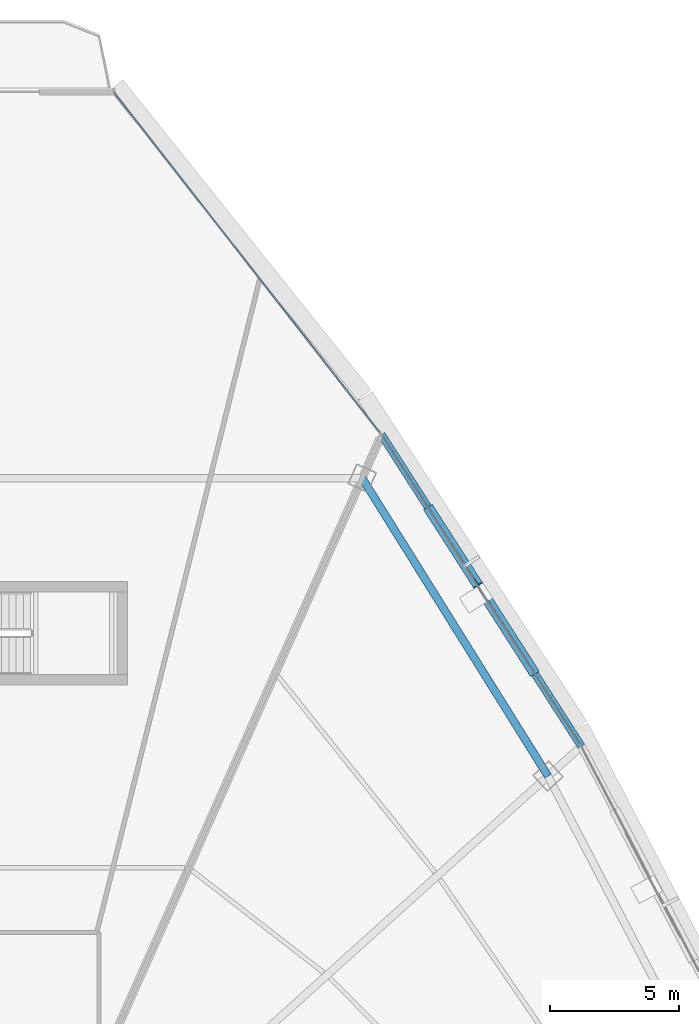
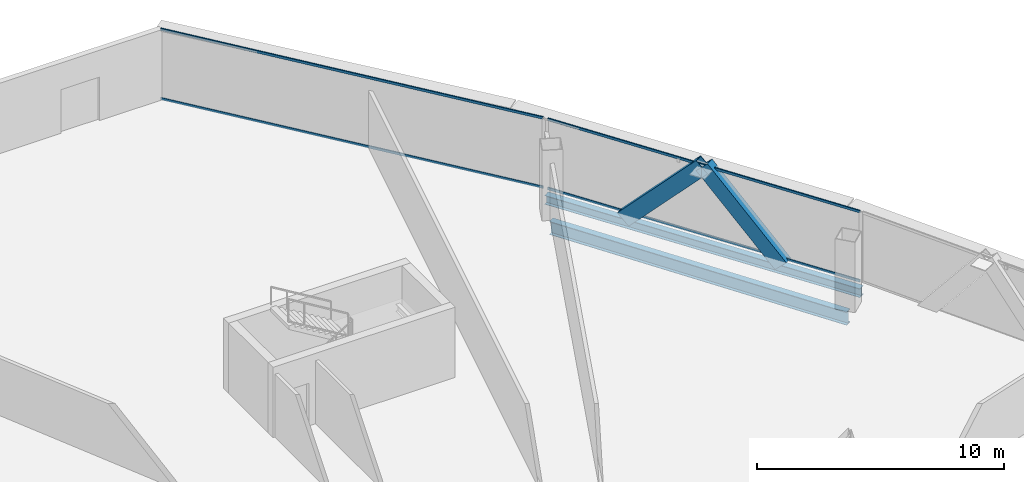
# One storey, part 24 of 37: 6 members, 2 beams, 2 elements without a shape of their own.
"""IFC4 building model written with IfcOpenShell, lengths in metres."""

from ifc_helpers import new_model, si_unit, direction, frame, origin, origin_2d, place, context, subcontext, project, spatial, hollow_rectangle, i_section, extrude, source, transform, mapped, material, layer, layer_set, material_profile, profile_set, type_object, element, aggregate, save


model = new_model("IFC4")

# Units and contexts
model_context = context("Model", 3, precision=1e-05, world=origin(), true_north=direction((0.0, 1.0)))
body_context = subcontext(model_context, "Body", "Model", "MODEL_VIEW")
ifc_project = project(units=[si_unit("LENGTHUNIT", "METRE"), si_unit("AREAUNIT", "SQUARE_METRE"), si_unit("VOLUMEUNIT", "CUBIC_METRE"), si_unit("PLANEANGLEUNIT", "RADIAN"), si_unit("MASSUNIT", "GRAM", prefix="KILO"), si_unit("THERMODYNAMICTEMPERATUREUNIT", "KELVIN"), si_unit("POWERUNIT", "WATT")], contexts=[model_context])

# Site, building, storey
site_placement = place(None, origin())
site = spatial("IfcSite", under=ifc_project, at=site_placement, CompositionType="ELEMENT")
building_placement = place(site_placement, origin())
building = spatial("IfcBuilding", under=site, at=building_placement, Name="Yunzhuo Pagoda Commons", CompositionType="ELEMENT")
storey_placement = place(building_placement, frame((0.0, 0.0, 259.449951171875)))
storey = spatial("IfcBuildingStorey", under=building, at=storey_placement, Name="L65", CompositionType="ELEMENT", Elevation=259.449951171875)

# Beams
ifc_material_1 = material(Name="Structural steel Q355B", Category="steel")
ifc_material_profile_1 = material_profile(ifc_material_1, i_section(OverallWidth=0.300048828125, OverallDepth=0.64990234375, WebThickness=0.012939453125, FlangeThickness=0.02197265625, at=origin_2d()), Name="Structural steel Q355B")
ifc_profile_set_1 = profile_set([ifc_material_profile_1], Name="Structural steel Q355B")
beam_type_1 = type_object("IfcBeamType", Name="B-RG2 Beam HN 650x300x13x22", PredefinedType="BEAM", material=ifc_profile_set_1)
shared_shape_1 = source(origin(), body_context, "Body", "SweptSolid", [
    extrude(i_section(OverallWidth=0.300048828125, OverallDepth=0.64990234375, WebThickness=0.012939453125, FlangeThickness=0.02197265625, at=origin_2d()), origin(), (0.0, 0.0, 1.0), 13.615478515625),
])
beam_1_placement = place(storey_placement, frame((68.61181640625, 52.259033203125, -0.5849609375), z_axis=(-0.529178300485, 0.848510651846, 0.0), x_axis=(-0.848510651846, -0.529178300485, 0.0)))
element("IfcBeam", 1, at=beam_1_placement, inside=storey, type_object=beam_type_1, Name="L65 column-ring beam 7", PredefinedType="BEAM", context=body_context, shape_type="MappedRepresentation", body=[
    mapped(shared_shape_1, transform((0.0, 0.0, 0.0), scale=1.0)),
])
ifc_material_profile_2 = material_profile(ifc_material_1, i_section(OverallWidth=0.300048828125, OverallDepth=0.43994140625, WebThickness=0.010986328125, FlangeThickness=0.01806640625, at=origin_2d()), Name="Structural steel Q355B")
ifc_profile_set_2 = profile_set([ifc_material_profile_2], Name="Structural steel Q355B")
beam_type_2 = type_object("IfcBeamType", Name="B-SP2 Beam HM 440x300x11x18", PredefinedType="BEAM", material=ifc_profile_set_2)
shared_shape_2 = source(origin(), body_context, "Body", "SweptSolid", [
    extrude(i_section(OverallWidth=0.300048828125, OverallDepth=0.43994140625, WebThickness=0.010986328125, FlangeThickness=0.01806640625, at=origin_2d()), origin(), (0.0, 0.0, 1.0), 14.346435546875),
])
beam_2_placement = place(storey_placement, frame((69.902099609375, 53.420654296875, -0.47998046875), z_axis=(-0.539882583277, 0.841740337797, 0.0), x_axis=(-0.841740337797, -0.539882583277, 0.0)))
element("IfcBeam", 2, at=beam_2_placement, inside=storey, type_object=beam_type_2, Name="L65 facade edge spandrel beam F2.3", PredefinedType="BEAM", context=body_context, shape_type="MappedRepresentation", body=[
    mapped(shared_shape_2, transform((0.0, 0.0, 0.0), scale=1.0)),
])

# Members
ifc_material_profile_3 = material_profile(ifc_material_1, hollow_rectangle(XDim=0.39990234375, YDim=0.719970703125, WallThickness=0.02392578125, at=origin_2d()), Name="Structural steel Q355B")
ifc_profile_set_3 = profile_set([ifc_material_profile_3], Name="Structural steel Q355B")
member_type_1 = type_object("IfcMemberType", Name="M-DL2 Brace BOX 720x400x24", PredefinedType="BRACE", material=ifc_profile_set_3)
shared_shape_3 = source(origin(), body_context, "Body", "SweptSolid", [
    extrude(hollow_rectangle(XDim=0.39990234375, YDim=0.719970703125, WallThickness=0.02392578125, at=origin_2d()), origin(), (0.0, 0.0, 1.0), 5.174560546875),
])
for number, where, z_axis, x_axis, name in (
    (3, (67.965576171875, 56.439697265625, -0.260009765625), (-0.374199004796, 0.583403189295, 0.72084382742), (-0.841733190332, -0.539893726852, 0.0), "L65 facade diamond brace F2.3L"),
    (4, (64.093017578125, 62.4775390625, -0.260009765625), (0.374188704594, -0.583434311059, 0.720823985473), (0.84175303115, 0.539862792338, 0.0), "L65 facade diamond brace F2.3R"),
):
    element("IfcMember", number, at=place(storey_placement, frame(where, z_axis=z_axis, x_axis=x_axis)), inside=storey, type_object=member_type_1, Name=name, PredefinedType="BRACE", context=body_context, shape_type="MappedRepresentation", body=[
        mapped(shared_shape_3, transform((0.0, 0.0, 0.0), scale=1.0)),
    ])

# Curtain wall, members
ifc_material_2 = material(Name="Anodized aluminium 6063-T6", Category="aluminium")
ifc_layer = layer(ifc_material_2, 0.139892578125)
ifc_layer_set = layer_set([ifc_layer], Name="Anodized aluminium 6063-T6")
curtain_wall_type = type_object("IfcCurtainWallType", Name="CW-HI High-Zone Ribbon Curtain Wall", PredefinedType="NOTDEFINED", material=ifc_layer_set)
curtain_wall_1_placement = place(storey_placement, origin())
curtain_wall_1 = element("IfcCurtainWall", 5, at=curtain_wall_1_placement, inside=storey, type_object=curtain_wall_type, Name="L65 curtain wall CW-L65-F2B4", PredefinedType="NOTDEFINED")
ifc_material_profile_4 = material_profile(ifc_material_2, hollow_rectangle(XDim=0.054931640625, YDim=0.1201171875, WallThickness=0.00341796875, at=origin_2d()), Name="Anodized aluminium 6063-T6")
ifc_profile_set_4 = profile_set([ifc_material_profile_4], Name="Anodized aluminium 6063-T6")
member_type_2 = type_object("IfcMemberType", Name="CW-HI-T Transom RHS 120x55x3.5", PredefinedType="USERDEFINED", material=ifc_profile_set_4)
shared_shape_4 = source(origin(), body_context, "Body", "SweptSolid", [
    extrude(hollow_rectangle(XDim=0.054931640625, YDim=0.1201171875, WallThickness=0.00341796875, at=origin_2d()), origin(), (0.0, 0.0, 1.0), 14.226318359375),
])
member_1_placement = place(storey_placement, frame((69.86962890625, 53.47119140625, 0.027587890625), z_axis=(-0.539876927328, 0.841743965431, 0.0), x_axis=(-0.841743965431, -0.539876927328, 0.0)))
member_1 = element("IfcMember", 6, at=member_1_placement, type_object=member_type_2, Name="CW transom 1.1", ObjectType="TRANSOM", PredefinedType="USERDEFINED", context=body_context, shape_type="MappedRepresentation", body=[
    mapped(shared_shape_4, transform((0.0, 0.0, 0.0), scale=1.0)),
])
member_2_placement = place(storey_placement, frame((69.86962890625, 53.47119140625, 3.442626953125), z_axis=(-0.539876927328, 0.841743965431, 0.0), x_axis=(-0.841743965431, -0.539876927328, 0.0)))
member_2 = element("IfcMember", 7, at=member_2_placement, type_object=member_type_2, Name="CW transom 1.2", ObjectType="TRANSOM", PredefinedType="USERDEFINED", context=body_context, shape_type="MappedRepresentation", body=[
    mapped(shared_shape_4, transform((0.0, 0.0, 0.0), scale=1.0)),
])
aggregate(curtain_wall_1, [member_1, member_2])

curtain_wall_2_placement = place(storey_placement, origin())
curtain_wall_2 = element("IfcCurtainWall", 8, at=curtain_wall_2_placement, inside=storey, type_object=curtain_wall_type, Name="L65 curtain wall CW-L65-F2B5", PredefinedType="NOTDEFINED")
shared_shape_5 = source(origin(), body_context, "Body", "SweptSolid", [
    extrude(hollow_rectangle(XDim=0.054931640625, YDim=0.1201171875, WallThickness=0.00341796875, at=origin_2d()), origin(), (0.0, 0.0, 1.0), 16.68017578125),
])
member_3_placement = place(storey_placement, frame((62.073974609375, 65.60302734375, 0.027587890625), z_axis=(-0.615441221202, 0.788182785429, 0.0), x_axis=(-0.788182785429, -0.615441221202, 0.0)))
member_3 = element("IfcMember", 9, at=member_3_placement, type_object=member_type_2, Name="CW transom 1.1", ObjectType="TRANSOM", PredefinedType="USERDEFINED", context=body_context, shape_type="MappedRepresentation", body=[
    mapped(shared_shape_5, transform((0.0, 0.0, 0.0), scale=1.0)),
])
member_4_placement = place(storey_placement, frame((62.073974609375, 65.60302734375, 3.442626953125), z_axis=(-0.615441221202, 0.788182785429, 0.0), x_axis=(-0.788182785429, -0.615441221202, 0.0)))
member_4 = element("IfcMember", 10, at=member_4_placement, type_object=member_type_2, Name="CW transom 1.2", ObjectType="TRANSOM", PredefinedType="USERDEFINED", context=body_context, shape_type="MappedRepresentation", body=[
    mapped(shared_shape_5, transform((0.0, 0.0, 0.0), scale=1.0)),
])
aggregate(curtain_wall_2, [member_3, member_4])

save(model, "model.ifc")
